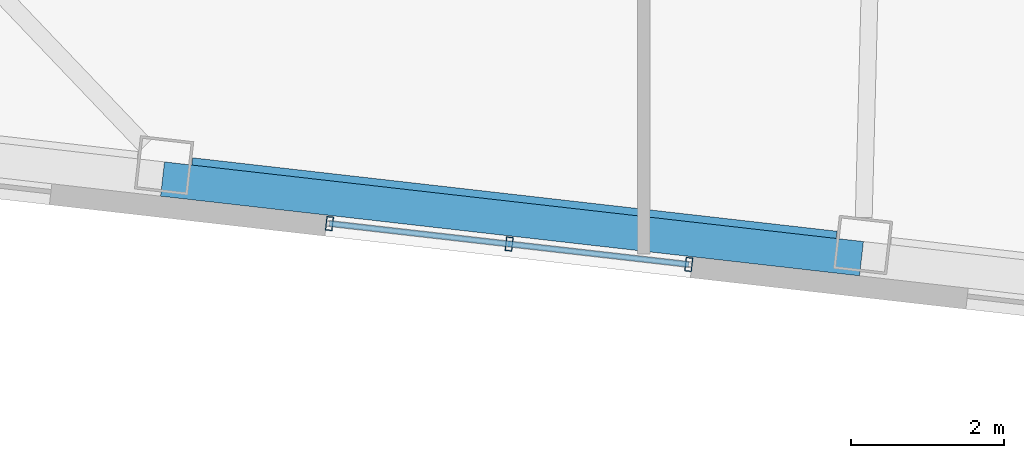
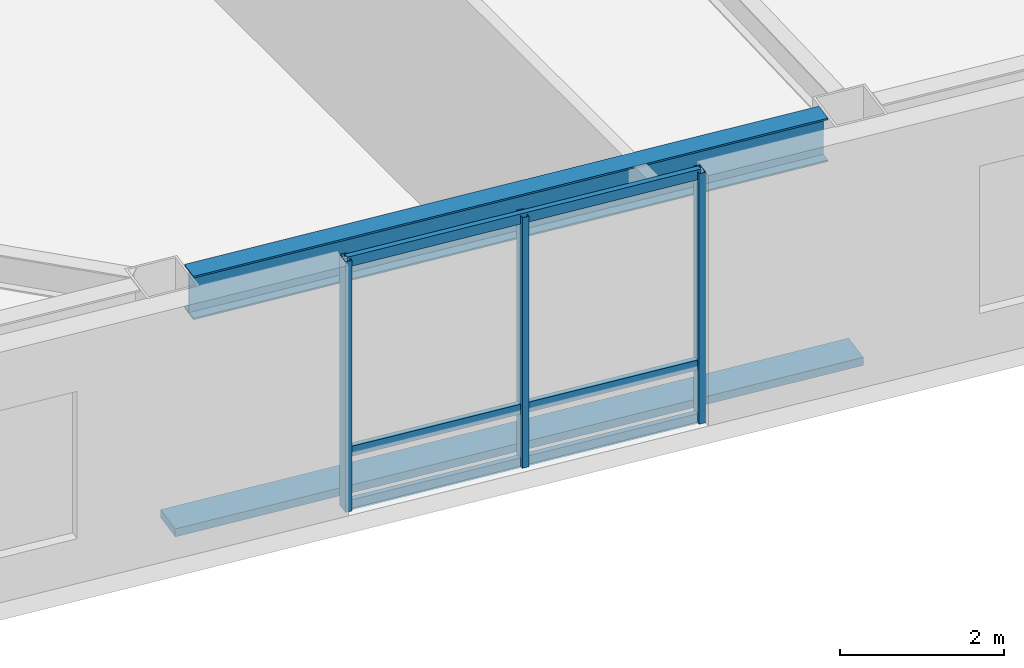
# One storey, part 4 of 21: 7 members, 1 beam, 1 element without a shape of its own.
"""IFC4 building model written with IfcOpenShell, lengths in metres."""

import ifcopenshell
import ifcopenshell.guid

model = None  # the IFC model being written
_history = None  # IfcOwnerHistory: only IFC2X3 demands one
_inside = {}  # id of a spatial element -> (the spatial element, [elements in it])
_under = {}  # id of a project, library or spatial element -> (it, [spatial elements below it])
_declared = {}  # id of a project -> (the project, [libraries it declares])
_typed = {}  # id of a type object -> (the type object, [elements of that type])
_made_of = {}  # id of a material, layer set ... -> (it, [elements and type objects made of it])


def new_model(schema):
    """Start an empty IFC model of exactly this schema.

    Asked for "IFC4X3", IfcOpenShell would pick the latest addendum, in which some entities
    have other attributes; the version numbers below select the first issue.
    IFC2X3 requires an IfcOwnerHistory on every rooted entity: one is made here for all.
    """
    global model, _history
    if schema == "IFC4X3":
        model = ifcopenshell.file(schema_version=(4, 3, 0, 0))
    else:
        model = ifcopenshell.file(schema=schema)
    _inside.clear()
    _under.clear()
    _declared.clear()
    _typed.clear()
    _made_of.clear()
    _history = None
    if model.schema == "IFC2X3":
        org = make("IfcOrganization", Name="unknown")
        user = make(
            "IfcPersonAndOrganization",
            ThePerson=make("IfcPerson", FamilyName="unknown"),
            TheOrganization=org,
        )
        app = make(
            "IfcApplication",
            ApplicationDeveloper=org,
            Version="unknown",
            ApplicationFullName="unknown",
            ApplicationIdentifier="unknown",
        )
        _history = make(
            "IfcOwnerHistory",
            OwningUser=user,
            OwningApplication=app,
            ChangeAction="ADDED",
            CreationDate=0,
        )
    return model


def make(cls, **values):
    """One entity of the class cls with the attributes given. An attribute that is None is left unset."""
    return model.create_entity(
        cls, **{name: value for name, value in values.items() if value is not None}
    )


def rooted(cls, **values):
    """An entity with a GlobalId (a new one), such as an element, a storey or a relation."""
    return make(cls, GlobalId=ifcopenshell.guid.new(), OwnerHistory=_history, **values)


def si_unit(unit_type, name, prefix=None):
    """IfcSIUnit, for example si_unit("LENGTHUNIT", "METRE", prefix="MILLI")."""
    return make("IfcSIUnit", UnitType=unit_type, Prefix=prefix, Name=name)


def assignment(units):
    """IfcUnitAssignment: the units of a project."""
    return None if units is None else make("IfcUnitAssignment", Units=units)


def point(xyz):
    """IfcCartesianPoint."""
    return None if xyz is None else make("IfcCartesianPoint", Coordinates=xyz)


def direction(xyz):
    """IfcDirection."""
    return None if xyz is None else make("IfcDirection", DirectionRatios=xyz)


def frame(location, z_axis=None, x_axis=None):
    """IfcAxis2Placement3D, a coordinate frame: its origin and axes. An axis left out is left unset."""
    return make(
        "IfcAxis2Placement3D",
        Location=point(location),
        Axis=direction(z_axis),
        RefDirection=direction(x_axis),
    )


def frame_2d(location, x_axis=None):
    """IfcAxis2Placement2D, a coordinate frame in the plane: its origin and x axis."""
    return make(
        "IfcAxis2Placement2D", Location=point(location), RefDirection=direction(x_axis)
    )


def origin():
    """The frame at (0, 0, 0) with its axes left unset."""
    return frame((0.0, 0.0, 0.0))


def origin_2d():
    """The frame at (0, 0) in the plane with its x axis left unset."""
    return frame_2d((0.0, 0.0))


def place(relative_to, where):
    """IfcLocalPlacement: puts the frame where relative to a parent placement (None: the world)."""
    return make(
        "IfcLocalPlacement", PlacementRelTo=relative_to, RelativePlacement=where
    )


def context(
    kind, dimensions, precision=None, world=None, true_north=None, identifier=None
):
    """IfcGeometricRepresentationContext, for example the 3D "Model" context."""
    return make(
        "IfcGeometricRepresentationContext",
        ContextIdentifier=identifier,
        ContextType=kind,
        CoordinateSpaceDimension=dimensions,
        Precision=precision,
        WorldCoordinateSystem=world,
        TrueNorth=true_north,
    )


def subcontext(parent, identifier, kind, view, scale=None):
    """IfcGeometricRepresentationSubContext, for example "Body" below "Model"."""
    return make(
        "IfcGeometricRepresentationSubContext",
        ContextIdentifier=identifier,
        ContextType=kind,
        ParentContext=parent,
        TargetScale=scale,
        TargetView=view,
    )


def project(units=None, contexts=None):
    """IfcProject with its units and contexts."""
    return rooted(
        "IfcProject",
        Name="project",
        RepresentationContexts=contexts,
        UnitsInContext=assignment(units),
    )


def spatial(cls, under=None, at=None, **own):
    """A site, building, storey or space (cls), placed at a placement, below another one or the project."""
    s = rooted(cls, ObjectPlacement=at, **own)
    if under is not None:
        _under.setdefault(under.id(), (under, []))[1].append(s)
    return s


def profile(cls, at=None, kind="AREA", **sizes):
    """A parametric profile (cls). Its sizes go by their IFC names, for example OverallWidth=200.0."""
    return make(cls, ProfileType=kind, Position=at, **sizes)


def rectangle(**sizes):
    """IfcRectangleProfileDef."""
    return profile("IfcRectangleProfileDef", **sizes)


def hollow_rectangle(**sizes):
    """IfcRectangleHollowProfileDef."""
    return profile("IfcRectangleHollowProfileDef", **sizes)


def i_section(**sizes):
    """IfcIShapeProfileDef."""
    return profile("IfcIShapeProfileDef", **sizes)


def extrude(swept, where, along, depth):
    """IfcExtrudedAreaSolid: the profile swept, set in the frame where, extruded along a direction by depth."""
    return make(
        "IfcExtrudedAreaSolid",
        SweptArea=swept,
        Position=where,
        ExtrudedDirection=direction(along),
        Depth=depth,
    )


def shape(context_of_items, identifier, shape_type, items):
    """IfcShapeRepresentation: the items that make up one representation, for example the "Body"."""
    return make(
        "IfcShapeRepresentation",
        ContextOfItems=context_of_items,
        RepresentationIdentifier=identifier,
        RepresentationType=shape_type,
        Items=items,
    )


def material(Name=None, Category=None):
    """IfcMaterial."""
    return make("IfcMaterial", Name=Name, Category=Category)


def layer(
    of_material, thickness, ventilated=None, Name=None, Category=None, Priority=None
):
    """IfcMaterialLayer: one layer of a wall or slab, of a material (None: an air gap)."""
    return make(
        "IfcMaterialLayer",
        Material=of_material,
        LayerThickness=thickness,
        IsVentilated=ventilated,
        Name=Name,
        Category=Category,
        Priority=Priority,
    )


def layer_set(layers, Name=None):
    """IfcMaterialLayerSet."""
    return make("IfcMaterialLayerSet", MaterialLayers=layers, LayerSetName=Name)


def material_profile(
    of_material, cross_section, Name=None, Category=None, Priority=None
):
    """IfcMaterialProfile: a cross section and its material."""
    return make(
        "IfcMaterialProfile",
        Name=Name,
        Material=of_material,
        Profile=cross_section,
        Priority=Priority,
        Category=Category,
    )


def profile_set(profiles, Name=None, composite=None):
    """IfcMaterialProfileSet."""
    return make(
        "IfcMaterialProfileSet",
        Name=Name,
        MaterialProfiles=profiles,
        CompositeProfile=composite,
    )


def made_of(thing, what):
    """Note that an element or type object is made of a material, layer set ...; save() writes the relation."""
    if what is not None:
        _made_of.setdefault(what.id(), (what, []))[1].append(thing)
    return thing


def type_object(cls, material=None, **own):
    """A type object (cls), such as IfcWallType, which elements share."""
    return made_of(rooted(cls, **own), material)


def element(
    cls,
    number,
    at=None,
    inside=None,
    cuts=None,
    type_object=None,
    material=None,
    context=None,
    identifier="Body",
    shape_type=None,
    held_by="IfcProductDefinitionShape",
    body=None,
    shapes=None,
    **own,
):
    """One element of the class cls, such as IfcWall. Its Tag is "e" and its number.

    at: its placement. inside: the storey or other place that contains it. cuts: it is an
    opening in that element (IfcRelVoidsElement). A single representation is given by context,
    identifier, shape_type and body (its items); several are given by shapes. held_by: the class
    of the entity that holds the representations. save() writes the other relations.
    """
    e = rooted(cls, Tag="e%d" % number, ObjectPlacement=at, **own)
    if body is not None:
        shapes = [shape(context, identifier, shape_type, body)]
    if shapes is not None:
        e.Representation = make(held_by, Representations=shapes)
    if inside is not None:
        _inside.setdefault(inside.id(), (inside, []))[1].append(e)
    if cuts is not None:
        rooted(
            "IfcRelVoidsElement", RelatingBuildingElement=cuts, RelatedOpeningElement=e
        )
    if type_object is not None:
        _typed.setdefault(type_object.id(), (type_object, []))[1].append(e)
    return made_of(e, material)


def aggregate(whole, parts):
    """IfcRelAggregates: a whole, such as a stair, and the parts it consists of."""
    return rooted("IfcRelAggregates", RelatingObject=whole, RelatedObjects=parts)


def save(model, path):
    """Write the relations noted so far, then the file.

    IfcRelAggregates (storeys below a building ...), IfcRelContainedInSpatialStructure (elements
    in a storey), IfcRelDefinesByType, IfcRelAssociatesMaterial and IfcRelDeclares: one each for
    every whole, place, type object, material and project.
    """
    for whole, parts in _under.values():
        aggregate(whole, parts)
    for where, things in _inside.values():
        rooted(
            "IfcRelContainedInSpatialStructure",
            RelatedElements=things,
            RelatingStructure=where,
        )
    for kind, things in _typed.values():
        rooted("IfcRelDefinesByType", RelatedObjects=things, RelatingType=kind)
    for what, things in _made_of.values():
        rooted("IfcRelAssociatesMaterial", RelatedObjects=things, RelatingMaterial=what)
    for by, libraries in _declared.values():
        rooted("IfcRelDeclares", RelatingContext=by, RelatedDefinitions=libraries)
    model.write(path)


model = new_model("IFC4")

# Units and contexts
model_context = context("Model", 3, precision=1e-05, world=origin(), true_north=direction((0.0, 1.0)))
body_context = subcontext(model_context, "Body", "Model", "MODEL_VIEW")
ifc_project = project(units=[si_unit("LENGTHUNIT", "METRE"), si_unit("AREAUNIT", "SQUARE_METRE"), si_unit("VOLUMEUNIT", "CUBIC_METRE"), si_unit("PLANEANGLEUNIT", "RADIAN"), si_unit("MASSUNIT", "GRAM", prefix="KILO")], contexts=[model_context])

# Site, building, storey
site_placement = place(None, origin())
site = spatial("IfcSite", under=ifc_project, at=site_placement, CompositionType="ELEMENT")
building_placement = place(site_placement, origin())
building = spatial("IfcBuilding", under=site, at=building_placement, Name="Tavrogorsk Clinical Tower", CompositionType="ELEMENT")
storey_placement = place(building_placement, frame((0.0, 0.0, 121.39990234375)))
storey = spatial("IfcBuildingStorey", under=building, at=storey_placement, Name="L27", CompositionType="ELEMENT", Elevation=121.39990234375)

# Member
ifc_material_1 = material(Name="Anodised aluminium alloy AW-6063", Category="aluminium")
ifc_material_profile_1 = material_profile(ifc_material_1, rectangle(XDim=0.449951171875, YDim=0.1201171875, at=origin_2d()), Name="ALU-SUNSHADE-450x120")
ifc_profile_set_1 = profile_set([ifc_material_profile_1], Name="Anodised aluminium alloy AW-6063")
member_type_1 = type_object("IfcMemberType", Name="ChicagoSunshade_450x120", PredefinedType="USERDEFINED", material=ifc_profile_set_1)
member_1_placement = place(storey_placement, frame((-14.028076171875, -24.385498046875, 0.18017578125), z_axis=(0.993572654864, -0.113196199166, 0.0), x_axis=(0.113196199166, 0.993572654864, 0.0)))
element("IfcMember", 1, at=member_1_placement, inside=storey, type_object=member_type_1, Name="L27 South Aluminium Sunshade S3", ObjectType="SUNSHADE", PredefinedType="USERDEFINED", context=body_context, shape_type="SweptSolid", body=[
    extrude(rectangle(XDim=0.449951171875, YDim=0.1201171875, at=origin_2d()), origin(), (0.0, 0.0, 1.0), 9.17724609375),
])

# Curtain wall, members
ifc_material_2 = material(Name="Anodised aluminium and triple IGU glazing", Category="aluminium")
ifc_layer = layer(ifc_material_2, 0.179931640625)
ifc_layer_set = layer_set([ifc_layer], Name="Anodised aluminium and triple IGU glazing")
curtain_wall_type = type_object("IfcCurtainWallType", Name="CW3_SouthSlot", PredefinedType="NOTDEFINED", material=ifc_layer_set)
curtain_wall_placement = place(storey_placement, origin())
curtain_wall = element("IfcCurtainWall", 2, at=curtain_wall_placement, inside=storey, type_object=curtain_wall_type, Name="L27 Curtain Wall CW-L27-S-SLOT-1", PredefinedType="NOTDEFINED")
ifc_material_3 = material(Name="Anodised aluminium alloy AW-6060", Category="aluminium")
ifc_material_profile_2 = material_profile(ifc_material_3, hollow_rectangle(XDim=0.090087890625, YDim=0.179931640625, WallThickness=0.00634765625, at=origin_2d()), Name="RHS-180x90x6.3")
ifc_profile_set_2 = profile_set([ifc_material_profile_2], Name="Anodised aluminium alloy AW-6060")
member_type_2 = type_object("IfcMemberType", Name="CwMullion_180x90", PredefinedType="MULLION", material=ifc_profile_set_2)
member_2_placement = place(storey_placement, frame((-11.850341796875, -24.9658203125, 0.0), z_axis=(0.0, 0.0, 1.0), x_axis=(0.993571855603, -0.11320321441, 0.0)))
member_2 = element("IfcMember", 3, at=member_2_placement, type_object=member_type_2, Name="CW-L27-S-SLOT-1 Mullion 1", PredefinedType="MULLION", context=body_context, shape_type="SweptSolid", body=[
    extrude(hollow_rectangle(XDim=0.090087890625, YDim=0.179931640625, WallThickness=0.00634765625, at=origin_2d()), origin(), (0.0, 0.0, 1.0), 3.739990234375),
])
member_3_placement = place(storey_placement, frame((-9.50634765625, -25.23291015625, 0.0), z_axis=(0.0, 0.0, 1.0), x_axis=(0.993571855603, -0.11320321441, 0.0)))
member_3 = element("IfcMember", 4, at=member_3_placement, type_object=member_type_2, Name="CW-L27-S-SLOT-1 Mullion 2", PredefinedType="MULLION", context=body_context, shape_type="SweptSolid", body=[
    extrude(hollow_rectangle(XDim=0.090087890625, YDim=0.179931640625, WallThickness=0.00634765625, at=origin_2d()), origin(), (0.0, 0.0, 1.0), 3.739990234375),
])
member_4_placement = place(storey_placement, frame((-7.16259765625, -25.499755859375, 0.0), z_axis=(0.0, 0.0, 1.0), x_axis=(0.993571855603, -0.11320321441, 0.0)))
member_4 = element("IfcMember", 5, at=member_4_placement, type_object=member_type_2, Name="CW-L27-S-SLOT-1 Mullion 3", PredefinedType="MULLION", context=body_context, shape_type="SweptSolid", body=[
    extrude(hollow_rectangle(XDim=0.090087890625, YDim=0.179931640625, WallThickness=0.00634765625, at=origin_2d()), origin(), (0.0, 0.0, 1.0), 3.739990234375),
])
ifc_material_4 = material(Name="Anodised aluminium alloy AW-6060", Category="aluminium")
ifc_material_profile_3 = material_profile(ifc_material_4, hollow_rectangle(XDim=0.074951171875, YDim=0.14990234375, WallThickness=0.0048828125, at=origin_2d()), Name="RHS-150x75x5")
ifc_profile_set_3 = profile_set([ifc_material_profile_3], Name="Anodised aluminium alloy AW-6060")
member_type_3 = type_object("IfcMemberType", Name="CwTransom_150x75", PredefinedType="USERDEFINED", material=ifc_profile_set_3)
member_5_placement = place(storey_placement, frame((-11.850341796875, -24.9658203125, 0.050048828125), z_axis=(0.993575798904, -0.113168599146, 0.0), x_axis=(0.113168599146, 0.993575798904, 0.0)))
member_5 = element("IfcMember", 6, at=member_5_placement, type_object=member_type_3, Name="CW-L27-S-SLOT-1 Transom 1", ObjectType="TRANSOM", PredefinedType="USERDEFINED", context=body_context, shape_type="SweptSolid", body=[
    extrude(hollow_rectangle(XDim=0.074951171875, YDim=0.14990234375, WallThickness=0.0048828125, at=origin_2d()), origin(), (0.0, 0.0, 1.0), 4.718017578125),
])
member_6_placement = place(storey_placement, frame((-11.850341796875, -24.9658203125, 0.85009765625), z_axis=(0.993575798904, -0.113168599146, 0.0), x_axis=(0.113168599146, 0.993575798904, 0.0)))
member_6 = element("IfcMember", 7, at=member_6_placement, type_object=member_type_3, Name="CW-L27-S-SLOT-1 Transom 2", ObjectType="TRANSOM", PredefinedType="USERDEFINED", context=body_context, shape_type="SweptSolid", body=[
    extrude(hollow_rectangle(XDim=0.074951171875, YDim=0.14990234375, WallThickness=0.0048828125, at=origin_2d()), origin(), (0.0, 0.0, 1.0), 4.718017578125),
])
member_7_placement = place(storey_placement, frame((-11.850341796875, -24.9658203125, 3.690185546875), z_axis=(0.993575798904, -0.113168599146, 0.0), x_axis=(0.113168599146, 0.993575798904, 0.0)))
member_7 = element("IfcMember", 8, at=member_7_placement, type_object=member_type_3, Name="CW-L27-S-SLOT-1 Transom 3", ObjectType="TRANSOM", PredefinedType="USERDEFINED", context=body_context, shape_type="SweptSolid", body=[
    extrude(hollow_rectangle(XDim=0.074951171875, YDim=0.14990234375, WallThickness=0.0048828125, at=origin_2d()), origin(), (0.0, 0.0, 1.0), 4.718017578125),
])
aggregate(curtain_wall, [member_2, member_3, member_4, member_5, member_6, member_7])

# Beam
ifc_material_5 = material(Name="Structural steel S390", Category="steel")
ifc_material_profile_4 = material_profile(ifc_material_5, i_section(OverallWidth=0.280029296875, OverallDepth=0.64990234375, WebThickness=0.01611328125, FlangeThickness=0.02490234375, at=origin_2d()), Name="B-650x280x16x25")
ifc_profile_set_4 = profile_set([ifc_material_profile_4], Name="Structural steel S390")
beam_type = type_object("IfcBeamType", Name="SpandrelBeam_B650", PredefinedType="SPANDREL", material=ifc_profile_set_4)
beam_placement = place(storey_placement, frame((-13.652099609375, -24.2470703125, 3.4150390625), z_axis=(0.993569449752, -0.113224328304, 0.0), x_axis=(0.113224328304, 0.993569449752, 0.0)))
element("IfcBeam", 9, at=beam_placement, inside=storey, type_object=beam_type, Name="L27 Perimeter Spandrel S3-S4", PredefinedType="SPANDREL", context=body_context, shape_type="SweptSolid", body=[
    extrude(i_section(OverallWidth=0.280029296875, OverallDepth=0.64990234375, WebThickness=0.01611328125, FlangeThickness=0.02490234375, at=origin_2d()), origin(), (0.0, 0.0, 1.0), 8.461181640625),
])

save(model, "model.ifc")
